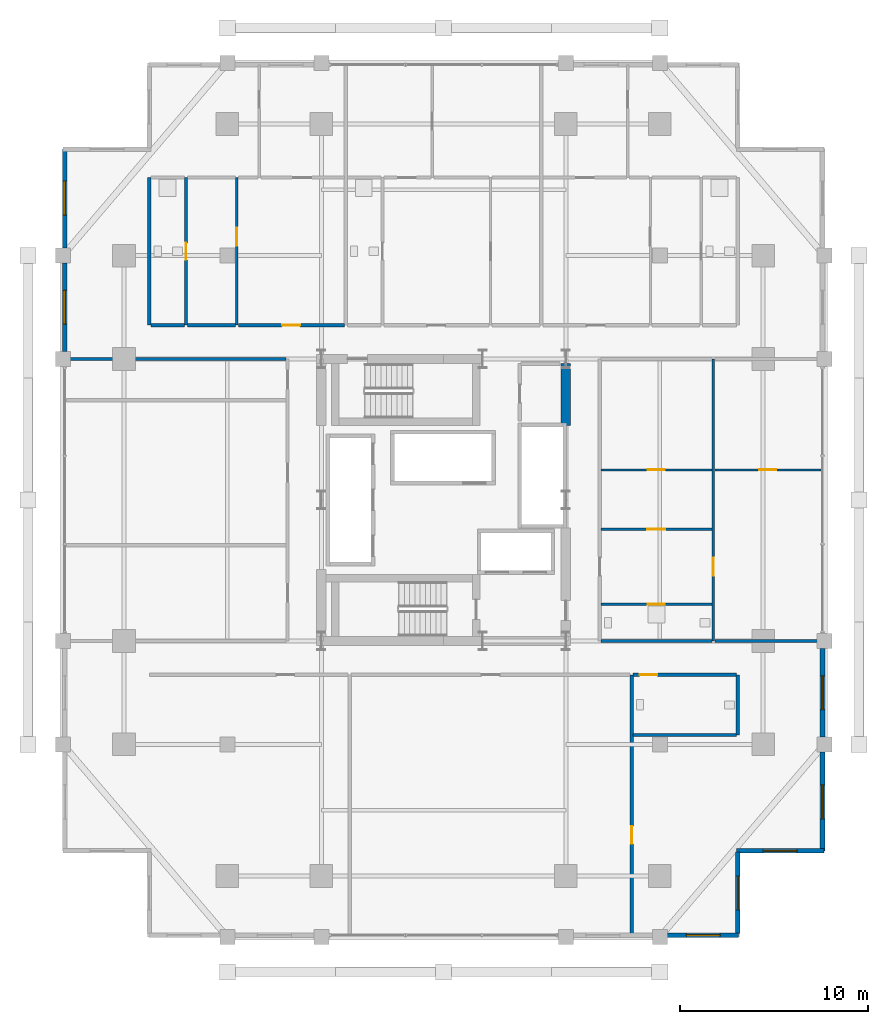
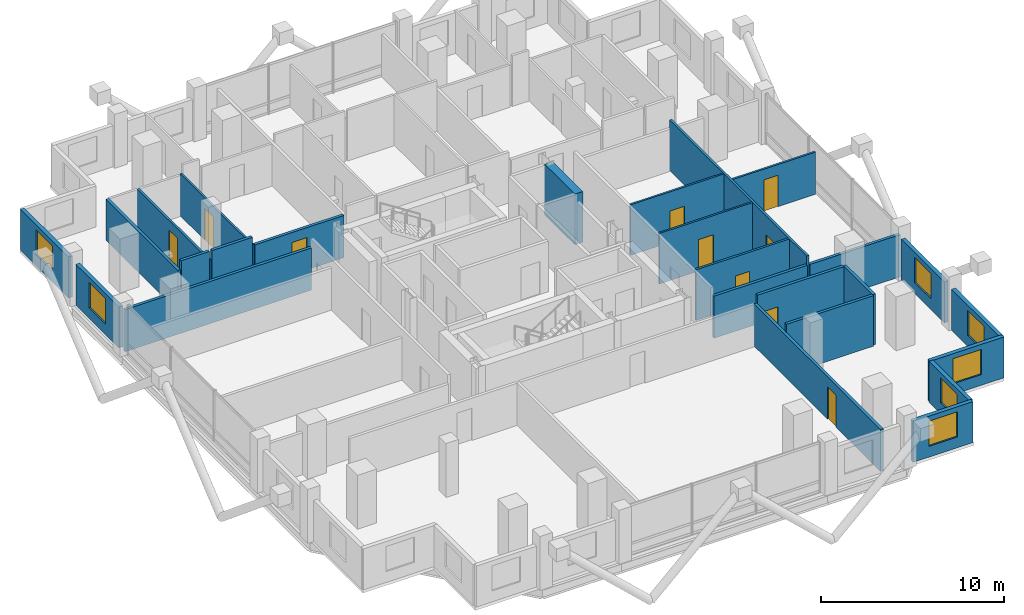
# One storey, part 18 of 22: 26 walls, 10 doors, 7 windows, 17 openings.
"""IFC4 building model written with IfcOpenShell, lengths in metres."""

import ifcopenshell
import ifcopenshell.guid

model = None  # the IFC model being written
_history = None  # IfcOwnerHistory: only IFC2X3 demands one
_inside = {}  # id of a spatial element -> (the spatial element, [elements in it])
_under = {}  # id of a project, library or spatial element -> (it, [spatial elements below it])
_declared = {}  # id of a project -> (the project, [libraries it declares])
_typed = {}  # id of a type object -> (the type object, [elements of that type])
_made_of = {}  # id of a material, layer set ... -> (it, [elements and type objects made of it])


def new_model(schema):
    """Start an empty IFC model of exactly this schema.

    Asked for "IFC4X3", IfcOpenShell would pick the latest addendum, in which some entities
    have other attributes; the version numbers below select the first issue.
    IFC2X3 requires an IfcOwnerHistory on every rooted entity: one is made here for all.
    """
    global model, _history
    if schema == "IFC4X3":
        model = ifcopenshell.file(schema_version=(4, 3, 0, 0))
    else:
        model = ifcopenshell.file(schema=schema)
    _inside.clear()
    _under.clear()
    _declared.clear()
    _typed.clear()
    _made_of.clear()
    _history = None
    if model.schema == "IFC2X3":
        org = make("IfcOrganization", Name="unknown")
        user = make(
            "IfcPersonAndOrganization",
            ThePerson=make("IfcPerson", FamilyName="unknown"),
            TheOrganization=org,
        )
        app = make(
            "IfcApplication",
            ApplicationDeveloper=org,
            Version="unknown",
            ApplicationFullName="unknown",
            ApplicationIdentifier="unknown",
        )
        _history = make(
            "IfcOwnerHistory",
            OwningUser=user,
            OwningApplication=app,
            ChangeAction="ADDED",
            CreationDate=0,
        )
    return model


def make(cls, **values):
    """One entity of the class cls with the attributes given. An attribute that is None is left unset."""
    return model.create_entity(
        cls, **{name: value for name, value in values.items() if value is not None}
    )


def rooted(cls, **values):
    """An entity with a GlobalId (a new one), such as an element, a storey or a relation."""
    return make(cls, GlobalId=ifcopenshell.guid.new(), OwnerHistory=_history, **values)


def si_unit(unit_type, name, prefix=None):
    """IfcSIUnit, for example si_unit("LENGTHUNIT", "METRE", prefix="MILLI")."""
    return make("IfcSIUnit", UnitType=unit_type, Prefix=prefix, Name=name)


def assignment(units):
    """IfcUnitAssignment: the units of a project."""
    return None if units is None else make("IfcUnitAssignment", Units=units)


def point(xyz):
    """IfcCartesianPoint."""
    return None if xyz is None else make("IfcCartesianPoint", Coordinates=xyz)


def direction(xyz):
    """IfcDirection."""
    return None if xyz is None else make("IfcDirection", DirectionRatios=xyz)


def frame(location, z_axis=None, x_axis=None):
    """IfcAxis2Placement3D, a coordinate frame: its origin and axes. An axis left out is left unset."""
    return make(
        "IfcAxis2Placement3D",
        Location=point(location),
        Axis=direction(z_axis),
        RefDirection=direction(x_axis),
    )


def frame_2d(location, x_axis=None):
    """IfcAxis2Placement2D, a coordinate frame in the plane: its origin and x axis."""
    return make(
        "IfcAxis2Placement2D", Location=point(location), RefDirection=direction(x_axis)
    )


def origin():
    """The frame at (0, 0, 0) with its axes left unset."""
    return frame((0.0, 0.0, 0.0))


def place(relative_to, where):
    """IfcLocalPlacement: puts the frame where relative to a parent placement (None: the world)."""
    return make(
        "IfcLocalPlacement", PlacementRelTo=relative_to, RelativePlacement=where
    )


def context(
    kind, dimensions, precision=None, world=None, true_north=None, identifier=None
):
    """IfcGeometricRepresentationContext, for example the 3D "Model" context."""
    return make(
        "IfcGeometricRepresentationContext",
        ContextIdentifier=identifier,
        ContextType=kind,
        CoordinateSpaceDimension=dimensions,
        Precision=precision,
        WorldCoordinateSystem=world,
        TrueNorth=true_north,
    )


def subcontext(parent, identifier, kind, view, scale=None):
    """IfcGeometricRepresentationSubContext, for example "Body" below "Model"."""
    return make(
        "IfcGeometricRepresentationSubContext",
        ContextIdentifier=identifier,
        ContextType=kind,
        ParentContext=parent,
        TargetScale=scale,
        TargetView=view,
    )


def project(units=None, contexts=None):
    """IfcProject with its units and contexts."""
    return rooted(
        "IfcProject",
        Name="project",
        RepresentationContexts=contexts,
        UnitsInContext=assignment(units),
    )


def spatial(cls, under=None, at=None, **own):
    """A site, building, storey or space (cls), placed at a placement, below another one or the project."""
    s = rooted(cls, ObjectPlacement=at, **own)
    if under is not None:
        _under.setdefault(under.id(), (under, []))[1].append(s)
    return s


def profile(cls, at=None, kind="AREA", **sizes):
    """A parametric profile (cls). Its sizes go by their IFC names, for example OverallWidth=200.0."""
    return make(cls, ProfileType=kind, Position=at, **sizes)


def rectangle(**sizes):
    """IfcRectangleProfileDef."""
    return profile("IfcRectangleProfileDef", **sizes)


def extrude(swept, where, along, depth):
    """IfcExtrudedAreaSolid: the profile swept, set in the frame where, extruded along a direction by depth."""
    return make(
        "IfcExtrudedAreaSolid",
        SweptArea=swept,
        Position=where,
        ExtrudedDirection=direction(along),
        Depth=depth,
    )


def shape(context_of_items, identifier, shape_type, items):
    """IfcShapeRepresentation: the items that make up one representation, for example the "Body"."""
    return make(
        "IfcShapeRepresentation",
        ContextOfItems=context_of_items,
        RepresentationIdentifier=identifier,
        RepresentationType=shape_type,
        Items=items,
    )


def material(Name=None, Category=None):
    """IfcMaterial."""
    return make("IfcMaterial", Name=Name, Category=Category)


def layer(
    of_material, thickness, ventilated=None, Name=None, Category=None, Priority=None
):
    """IfcMaterialLayer: one layer of a wall or slab, of a material (None: an air gap)."""
    return make(
        "IfcMaterialLayer",
        Material=of_material,
        LayerThickness=thickness,
        IsVentilated=ventilated,
        Name=Name,
        Category=Category,
        Priority=Priority,
    )


def layer_set(layers, Name=None):
    """IfcMaterialLayerSet."""
    return make("IfcMaterialLayerSet", MaterialLayers=layers, LayerSetName=Name)


def made_of(thing, what):
    """Note that an element or type object is made of a material, layer set ...; save() writes the relation."""
    if what is not None:
        _made_of.setdefault(what.id(), (what, []))[1].append(thing)
    return thing


def type_object(cls, material=None, **own):
    """A type object (cls), such as IfcWallType, which elements share."""
    return made_of(rooted(cls, **own), material)


def element(
    cls,
    number,
    at=None,
    inside=None,
    cuts=None,
    type_object=None,
    material=None,
    context=None,
    identifier="Body",
    shape_type=None,
    held_by="IfcProductDefinitionShape",
    body=None,
    shapes=None,
    **own,
):
    """One element of the class cls, such as IfcWall. Its Tag is "e" and its number.

    at: its placement. inside: the storey or other place that contains it. cuts: it is an
    opening in that element (IfcRelVoidsElement). A single representation is given by context,
    identifier, shape_type and body (its items); several are given by shapes. held_by: the class
    of the entity that holds the representations. save() writes the other relations.
    """
    e = rooted(cls, Tag="e%d" % number, ObjectPlacement=at, **own)
    if body is not None:
        shapes = [shape(context, identifier, shape_type, body)]
    if shapes is not None:
        e.Representation = make(held_by, Representations=shapes)
    if inside is not None:
        _inside.setdefault(inside.id(), (inside, []))[1].append(e)
    if cuts is not None:
        rooted(
            "IfcRelVoidsElement", RelatingBuildingElement=cuts, RelatedOpeningElement=e
        )
    if type_object is not None:
        _typed.setdefault(type_object.id(), (type_object, []))[1].append(e)
    return made_of(e, material)


def fill(opening, filler):
    """IfcRelFillsElement: the door or window that sits in an opening."""
    return rooted(
        "IfcRelFillsElement",
        RelatingOpeningElement=opening,
        RelatedBuildingElement=filler,
    )


def aggregate(whole, parts):
    """IfcRelAggregates: a whole, such as a stair, and the parts it consists of."""
    return rooted("IfcRelAggregates", RelatingObject=whole, RelatedObjects=parts)


def save(model, path):
    """Write the relations noted so far, then the file.

    IfcRelAggregates (storeys below a building ...), IfcRelContainedInSpatialStructure (elements
    in a storey), IfcRelDefinesByType, IfcRelAssociatesMaterial and IfcRelDeclares: one each for
    every whole, place, type object, material and project.
    """
    for whole, parts in _under.values():
        aggregate(whole, parts)
    for where, things in _inside.values():
        rooted(
            "IfcRelContainedInSpatialStructure",
            RelatedElements=things,
            RelatingStructure=where,
        )
    for kind, things in _typed.values():
        rooted("IfcRelDefinesByType", RelatedObjects=things, RelatingType=kind)
    for what, things in _made_of.values():
        rooted("IfcRelAssociatesMaterial", RelatedObjects=things, RelatingMaterial=what)
    for by, libraries in _declared.values():
        rooted("IfcRelDeclares", RelatingContext=by, RelatedDefinitions=libraries)
    model.write(path)


model = new_model("IFC4")

# Units and contexts
model_context = context("Model", 3, precision=1e-05, world=origin(), true_north=direction((0.0, 1.0)))
body_context = subcontext(model_context, "Body", "Model", "MODEL_VIEW")
ifc_project = project(units=[si_unit("LENGTHUNIT", "METRE"), si_unit("AREAUNIT", "SQUARE_METRE"), si_unit("VOLUMEUNIT", "CUBIC_METRE"), si_unit("PLANEANGLEUNIT", "RADIAN"), si_unit("MASSUNIT", "GRAM", prefix="KILO")], contexts=[model_context])

# Site, building, storey
site_placement = place(None, origin())
site = spatial("IfcSite", under=ifc_project, at=site_placement, CompositionType="ELEMENT")
building_placement = place(site_placement, origin())
building = spatial("IfcBuilding", under=site, at=building_placement, Name="Barlavira Tower and Art Museum", CompositionType="ELEMENT")
storey_placement = place(building_placement, frame((0.0, 0.0, 106.199951171875)))
storey = spatial("IfcBuildingStorey", under=building, at=storey_placement, Name="L26", CompositionType="ELEMENT", Elevation=106.199951171875)

# Wall, opening, door
ifc_material_1 = material(Name="Gypsum acoustic stud partition", Category="gypsum")
ifc_layer_1 = layer(ifc_material_1, 0.1201171875, Name="Gypsum acoustic stud partition")
ifc_layer_set_1 = layer_set([ifc_layer_1], Name="Gypsum acoustic stud partition")
wall_type_1 = type_object("IfcWallType", Name="Apartment Internal Acoustic Partition 120", PredefinedType="PARTITIONING", material=ifc_layer_set_1)
wall_1_placement = place(storey_placement, frame((-11.0, 9.300048828125, 0.0), z_axis=(0.0, 0.0, 1.0), x_axis=(0.0, 1.0, 0.0)))
wall_1 = element("IfcWall", 1, at=wall_1_placement, inside=storey, type_object=wall_type_1, Name="L26 Partition Wall 3", PredefinedType="PARTITIONING", context=body_context, shape_type="SweptSolid", body=[
    extrude(rectangle(XDim=7.849853515625, YDim=0.1201171875, at=frame_2d((3.9248046875, 0.0))), origin(), (0.0, 0.0, 1.0), 2.816162109375),
])
opening_1_placement = place(wall_1_placement, frame((4.218505859375, 0.0, 0.0)))
opening_1 = element("IfcOpeningElement", 2, at=opening_1_placement, cuts=wall_1, Name="Opening D-02", PredefinedType="OPENING", context=body_context, shape_type="SweptSolid", body=[
    extrude(rectangle(XDim=0.949951171875, YDim=2.10009765625, at=frame_2d((0.47509765625, 1.050048828125))), frame((0.0, 0.070068359375, 0.0), z_axis=(0.0, -1.0, 0.0), x_axis=(1.0, 0.0, 0.0)), (0.0, 0.0, 1.0), 0.14013671875),
])
ifc_material_2 = material(Name="Engineered coastal hardwood", Category="wood")
door_type_1 = type_object("IfcDoorType", Name="Living and Salon Glazed-Leaf Door 950x2100", OperationType="NOTDEFINED", PredefinedType="DOOR", material=ifc_material_2)
door_1_placement = place(opening_1_placement, origin())
door_1 = element("IfcDoor", 3, at=door_1_placement, inside=storey, type_object=door_type_1, Name="Apartment N1 Kitchen Door", OperationType="SINGLE_SWING_LEFT", OverallHeight=2.10009765625, OverallWidth=0.949951171875, PredefinedType="DOOR", context=body_context, shape_type="SweptSolid", body=[
    extrude(rectangle(XDim=0.949951171875, YDim=2.10009765625, at=frame_2d((0.47509765625, 1.050048828125))), frame((0.0, 0.02490234375, 0.0), z_axis=(0.0, -1.0, 0.0), x_axis=(1.0, 0.0, 0.0)), (0.0, 0.0, 1.0), 0.050048828125),
])
fill(opening_1, door_1)

wall_2_placement = place(storey_placement, frame((8.3798828125, -1.550048828125, 0.0), z_axis=(0.0, 0.0, 1.0), x_axis=(1.0, 0.0, 0.0)))
wall_2 = element("IfcWall", 4, at=wall_2_placement, inside=storey, type_object=wall_type_1, Name="L26 Partition Wall 30", PredefinedType="PARTITIONING", context=body_context, shape_type="SweptSolid", body=[
    extrude(rectangle(XDim=5.89013671875, YDim=0.1201171875, at=frame_2d((2.945068359375, 0.0))), origin(), (0.0, 0.0, 1.0), 3.380126953125),
])
opening_2_placement = place(wall_2_placement, frame((2.465087890625, 0.0, 0.0)))
opening_2 = element("IfcOpeningElement", 5, at=opening_2_placement, cuts=wall_2, Name="Opening D-02", PredefinedType="OPENING", context=body_context, shape_type="SweptSolid", body=[
    extrude(rectangle(XDim=0.949951171875, YDim=2.10009765625, at=frame_2d((0.47509765625, 1.050048828125))), frame((0.0, 0.070068359375, 0.0), z_axis=(0.0, -1.0, 0.0), x_axis=(1.0, 0.0, 0.0)), (0.0, 0.0, 1.0), 0.14013671875),
])
door_2_placement = place(opening_2_placement, origin())
door_2 = element("IfcDoor", 6, at=door_2_placement, inside=storey, type_object=door_type_1, Name="Apartment E1 Kitchen Door", OperationType="SINGLE_SWING_RIGHT", OverallHeight=2.10009765625, OverallWidth=0.949951171875, PredefinedType="DOOR", context=body_context, shape_type="SweptSolid", body=[
    extrude(rectangle(XDim=0.949951171875, YDim=2.10009765625, at=frame_2d((0.47509765625, 1.050048828125))), frame((0.0, 0.02490234375, 0.0), z_axis=(0.0, -1.0, 0.0), x_axis=(1.0, 0.0, 0.0)), (0.0, 0.0, 1.0), 0.050048828125),
])
fill(opening_2, door_2)

wall_3_placement = place(storey_placement, frame((8.3798828125, 1.60009765625, 0.0), z_axis=(0.0, 0.0, 1.0), x_axis=(1.0, 0.0, 0.0)))
wall_3 = element("IfcWall", 7, at=wall_3_placement, inside=storey, type_object=wall_type_1, Name="L26 Partition Wall 31", PredefinedType="PARTITIONING", context=body_context, shape_type="SweptSolid", body=[
    extrude(rectangle(XDim=5.89013671875, YDim=0.1201171875, at=frame_2d((2.945068359375, 0.0))), origin(), (0.0, 0.0, 1.0), 3.380126953125),
])
opening_3_placement = place(wall_3_placement, frame((2.489990234375, 0.0, 0.0)))
opening_3 = element("IfcOpeningElement", 8, at=opening_3_placement, cuts=wall_3, Name="Opening D-01", PredefinedType="OPENING", context=body_context, shape_type="SweptSolid", body=[
    extrude(rectangle(XDim=0.89990234375, YDim=2.10009765625, at=frame_2d((0.449951171875, 1.050048828125))), frame((0.0, 0.070068359375, 0.0), z_axis=(0.0, -1.0, 0.0), x_axis=(1.0, 0.0, 0.0)), (0.0, 0.0, 1.0), 0.14013671875),
])
door_type_2 = type_object("IfcDoorType", Name="Internal Bedroom Timber Flush Door 900x2100", OperationType="NOTDEFINED", PredefinedType="DOOR", material=ifc_material_2)
door_3_placement = place(opening_3_placement, origin())
door_3 = element("IfcDoor", 9, at=door_3_placement, inside=storey, type_object=door_type_2, Name="Apartment E1 Walk-In Dressing Room Door", OperationType="SINGLE_SWING_LEFT", OverallHeight=2.10009765625, OverallWidth=0.89990234375, PredefinedType="DOOR", context=body_context, shape_type="SweptSolid", body=[
    extrude(rectangle(XDim=0.89990234375, YDim=2.10009765625, at=frame_2d((0.449951171875, 1.050048828125))), frame((0.0, 0.02490234375, 0.0), z_axis=(0.0, -1.0, 0.0), x_axis=(1.0, 0.0, 0.0)), (0.0, 0.0, 1.0), 0.050048828125),
])
fill(opening_3, door_3)

wall_4_placement = place(storey_placement, frame((14.429931640625, 1.60009765625, 0.0), z_axis=(0.0, 0.0, 1.0), x_axis=(1.0, 0.0, 0.0)))
wall_4 = element("IfcWall", 10, at=wall_4_placement, inside=storey, type_object=wall_type_1, Name="L26 Partition Wall 32", PredefinedType="PARTITIONING", context=body_context, shape_type="SweptSolid", body=[
    extrude(rectangle(XDim=5.64013671875, YDim=0.1201171875, at=frame_2d((2.820068359375, 0.0))), origin(), (0.0, 0.0, 1.0), 2.816162109375),
])
opening_4_placement = place(wall_4_placement, frame((2.3701171875, 0.0, 0.0)))
opening_4 = element("IfcOpeningElement", 11, at=opening_4_placement, cuts=wall_4, Name="Opening D-01", PredefinedType="OPENING", context=body_context, shape_type="SweptSolid", body=[
    extrude(rectangle(XDim=0.89990234375, YDim=2.10009765625, at=frame_2d((0.449951171875, 1.050048828125))), frame((0.0, 0.070068359375, 0.0), z_axis=(0.0, -1.0, 0.0), x_axis=(1.0, 0.0, 0.0)), (0.0, 0.0, 1.0), 0.14013671875),
])
door_4_placement = place(opening_4_placement, origin())
door_4 = element("IfcDoor", 12, at=door_4_placement, inside=storey, type_object=door_type_2, Name="Apartment E1 Bedroom 1 Door", OperationType="SINGLE_SWING_LEFT", OverallHeight=2.10009765625, OverallWidth=0.89990234375, PredefinedType="DOOR", context=body_context, shape_type="SweptSolid", body=[
    extrude(rectangle(XDim=0.89990234375, YDim=2.10009765625, at=frame_2d((0.449951171875, 1.050048828125))), frame((0.0, 0.02490234375, 0.0), z_axis=(0.0, -1.0, 0.0), x_axis=(1.0, 0.0, 0.0)), (0.0, 0.0, 1.0), 0.050048828125),
])
fill(opening_4, door_4)

# Walls
ifc_material_3 = material(Name="Concrete C60", Category="concrete")
ifc_layer_2 = layer(ifc_material_3, 0.5, Name="Concrete C60")
ifc_layer_set_2 = layer_set([ifc_layer_2], Name="Concrete C60")
wall_type_2 = type_object("IfcWallType", Name="Core Structural Shear Wall 500 Concrete C60", PredefinedType="SHEAR", material=ifc_layer_set_2)
wall_5_placement = place(storey_placement, frame((6.5, 3.949951171875, 0.0), z_axis=(0.0, 0.0, 1.0), x_axis=(0.0, 1.0, 0.0)))
element("IfcWall", 13, at=wall_5_placement, inside=storey, type_object=wall_type_2, Name="L26 Core Shear Wall CS-E2", PredefinedType="SHEAR", context=body_context, shape_type="SweptSolid", body=[
    extrude(rectangle(XDim=3.300048828125, YDim=0.5, at=frame_2d((1.64990234375, 0.0))), origin(), (0.0, 0.0, 1.0), 3.380126953125),
])
ifc_layer_3 = layer(ifc_material_1, 0.179931640625, Name="Gypsum acoustic stud partition")
ifc_layer_set_3 = layer_set([ifc_layer_3], Name="Gypsum acoustic stud partition")
wall_type_3 = type_object("IfcWallType", Name="Inter-Tenancy Party Partition Wall 180", PredefinedType="PARTITIONING", material=ifc_layer_set_3)
wall_6_placement = place(storey_placement, frame((-15.64990234375, 9.300048828125, 0.0), z_axis=(0.0, 0.0, 1.0), x_axis=(0.0, 1.0, 0.0)))
element("IfcWall", 14, at=wall_6_placement, inside=storey, type_object=wall_type_3, Name="L26 Partition Wall 1", PredefinedType="PARTITIONING", context=body_context, shape_type="SweptSolid", body=[
    extrude(rectangle(XDim=7.849853515625, YDim=0.179931640625, at=frame_2d((3.9248046875, 0.0))), origin(), (0.0, 0.0, 1.0), 2.736083984375),
])

# Wall, opening, door
wall_7_placement = place(storey_placement, frame((10.0, -23.14990234375, 0.0), z_axis=(0.0, 0.0, 1.0), x_axis=(0.0, 1.0, 0.0)))
wall_7 = element("IfcWall", 15, at=wall_7_placement, inside=storey, type_object=wall_type_3, Name="L26 Partition Wall 15", PredefinedType="PARTITIONING", context=body_context, shape_type="SweptSolid", body=[
    extrude(rectangle(XDim=13.849853515625, YDim=0.179931640625, at=frame_2d((6.9248046875, 0.0))), origin(), (0.0, 0.0, 1.0), 2.816162109375),
])
opening_5_placement = place(wall_7_placement, frame((4.85498046875, 0.0, 0.0)))
opening_5 = element("IfcOpeningElement", 16, at=opening_5_placement, cuts=wall_7, Name="Opening FD-60", PredefinedType="OPENING", context=body_context, shape_type="SweptSolid", body=[
    extrude(rectangle(XDim=0.949951171875, YDim=2.14990234375, at=frame_2d((0.47509765625, 1.074951171875))), frame((0.0, 0.10009765625, 0.0), z_axis=(0.0, -1.0, 0.0), x_axis=(1.0, 0.0, 0.0)), (0.0, 0.0, 1.0), 0.199951171875),
])
ifc_material_4 = material(Name="Brushed stainless steel", Category="steel")
door_type_3 = type_object("IfcDoorType", Name="Apartment Entrance and Riser Fire Door 950x2150 FD60S", OperationType="NOTDEFINED", PredefinedType="DOOR", material=ifc_material_4)
door_5_placement = place(opening_5_placement, origin())
door_5 = element("IfcDoor", 17, at=door_5_placement, inside=storey, type_object=door_type_3, Name="Thermal Relaxation Lounge Door", OperationType="SINGLE_SWING_LEFT", OverallHeight=2.14990234375, OverallWidth=0.949951171875, PredefinedType="DOOR", context=body_context, shape_type="SweptSolid", body=[
    extrude(rectangle(XDim=0.949951171875, YDim=2.14990234375, at=frame_2d((0.47509765625, 1.074951171875))), frame((0.0, 0.02490234375, 0.0), z_axis=(0.0, -1.0, 0.0), x_axis=(1.0, 0.0, 0.0)), (0.0, 0.0, 1.0), 0.050048828125),
])
fill(opening_5, door_5)

# Walls
wall_8_placement = place(storey_placement, frame((15.64990234375, -12.5, 0.0), z_axis=(0.0, 0.0, 1.0), x_axis=(0.0, 1.0, 0.0)))
element("IfcWall", 18, at=wall_8_placement, inside=storey, type_object=wall_type_3, Name="L26 Partition Wall 19", PredefinedType="PARTITIONING", context=body_context, shape_type="SweptSolid", body=[
    extrude(rectangle(XDim=3.199951171875, YDim=0.179931640625, at=frame_2d((1.60009765625, 0.0))), origin(), (0.0, 0.0, 1.0), 3.380126953125),
])
wall_9_placement = place(storey_placement, frame((10.080078125, -12.5, 0.0), z_axis=(0.0, 0.0, 1.0), x_axis=(1.0, 0.0, 0.0)))
element("IfcWall", 19, at=wall_9_placement, inside=storey, type_object=wall_type_3, Name="L26 Partition Wall 21", PredefinedType="PARTITIONING", context=body_context, shape_type="SweptSolid", body=[
    extrude(rectangle(XDim=5.489990234375, YDim=0.179931640625, at=frame_2d((2.7451171875, 0.0))), origin(), (0.0, 0.0, 1.0), 3.380126953125),
])

# Wall, opening, door
wall_10_placement = place(storey_placement, frame((10.080078125, -9.300048828125, 0.0), z_axis=(0.0, 0.0, 1.0), x_axis=(1.0, 0.0, 0.0)))
wall_10 = element("IfcWall", 20, at=wall_10_placement, inside=storey, type_object=wall_type_3, Name="L26 Partition Wall 24", PredefinedType="PARTITIONING", context=body_context, shape_type="SweptSolid", body=[
    extrude(rectangle(XDim=5.489990234375, YDim=0.179931640625, at=frame_2d((2.7451171875, 0.0))), origin(), (0.0, 0.0, 1.0), 3.380126953125),
])
opening_6_placement = place(wall_10_placement, frame((0.344970703125, 0.0, 0.0)))
opening_6 = element("IfcOpeningElement", 21, at=opening_6_placement, cuts=wall_10, Name="Opening FD-60", PredefinedType="OPENING", context=body_context, shape_type="SweptSolid", body=[
    extrude(rectangle(XDim=0.949951171875, YDim=2.14990234375, at=frame_2d((0.47509765625, 1.074951171875))), frame((0.0, 0.10009765625, 0.0), z_axis=(0.0, -1.0, 0.0), x_axis=(1.0, 0.0, 0.0)), (0.0, 0.0, 1.0), 0.199951171875),
])
door_6_placement = place(opening_6_placement, origin())
door_6 = element("IfcDoor", 22, at=door_6_placement, inside=storey, type_object=door_type_3, Name="Wellness Changing and Accessible Shower WC Door", OperationType="SINGLE_SWING_RIGHT", OverallHeight=2.14990234375, OverallWidth=0.949951171875, PredefinedType="DOOR", context=body_context, shape_type="SweptSolid", body=[
    extrude(rectangle(XDim=0.949951171875, YDim=2.14990234375, at=frame_2d((0.47509765625, 1.074951171875))), frame((0.0, 0.02490234375, 0.0), z_axis=(0.0, -1.0, 0.0), x_axis=(1.0, 0.0, 0.0)), (0.0, 0.0, 1.0), 0.050048828125),
])
fill(opening_6, door_6)

# Walls
wall_11_placement = place(storey_placement, frame((8.3798828125, -7.5, 0.0), z_axis=(0.0, 0.0, 1.0), x_axis=(1.0, 0.0, 0.0)))
element("IfcWall", 23, at=wall_11_placement, inside=storey, type_object=wall_type_3, Name="L26 Partition Wall 26", PredefinedType="PARTITIONING", context=body_context, shape_type="SweptSolid", body=[
    extrude(rectangle(XDim=5.89013671875, YDim=0.179931640625, at=frame_2d((2.945068359375, 0.0))), origin(), (0.0, 0.0, 1.0), 2.816162109375),
])
wall_12_placement = place(storey_placement, frame((14.429931640625, -7.5, 0.0), z_axis=(0.0, 0.0, 1.0), x_axis=(1.0, 0.0, 0.0)))
element("IfcWall", 24, at=wall_12_placement, inside=storey, type_object=wall_type_3, Name="L26 Partition Wall 27", PredefinedType="PARTITIONING", context=body_context, shape_type="SweptSolid", body=[
    extrude(rectangle(XDim=5.719970703125, YDim=0.179931640625, at=frame_2d((2.85986328125, 0.0))), origin(), (0.0, 0.0, 1.0), 2.816162109375),
])
wall_13_placement = place(storey_placement, frame((-20.14990234375, 7.5, 0.0), z_axis=(0.0, 0.0, 1.0), x_axis=(1.0, 0.0, 0.0)))
element("IfcWall", 25, at=wall_13_placement, inside=storey, type_object=wall_type_3, Name="L26 Partition Wall 35", PredefinedType="PARTITIONING", context=body_context, shape_type="SweptSolid", body=[
    extrude(rectangle(XDim=11.77001953125, YDim=0.179931640625, at=frame_2d((5.885009765625, 0.0))), origin(), (0.0, 0.0, 1.0), 2.816162109375),
])
wall_14_placement = place(storey_placement, frame((-15.570068359375, 9.300048828125, 0.0), z_axis=(0.0, 0.0, 1.0), x_axis=(1.0, 0.0, 0.0)))
element("IfcWall", 26, at=wall_14_placement, inside=storey, type_object=wall_type_3, Name="L26 Partition Wall 38", PredefinedType="PARTITIONING", context=body_context, shape_type="SweptSolid", body=[
    extrude(rectangle(XDim=1.7900390625, YDim=0.179931640625, at=frame_2d((0.89501953125, 0.0))), origin(), (0.0, 0.0, 1.0), 3.380126953125),
])
wall_15_placement = place(storey_placement, frame((-13.6201171875, 9.300048828125, 0.0), z_axis=(0.0, 0.0, 1.0), x_axis=(1.0, 0.0, 0.0)))
element("IfcWall", 27, at=wall_15_placement, inside=storey, type_object=wall_type_3, Name="L26 Partition Wall 39", PredefinedType="PARTITIONING", context=body_context, shape_type="SweptSolid", body=[
    extrude(rectangle(XDim=2.5400390625, YDim=0.179931640625, at=frame_2d((1.27001953125, 0.0))), origin(), (0.0, 0.0, 1.0), 3.380126953125),
])

# Wall, opening, door
wall_16_placement = place(storey_placement, frame((-10.919921875, 9.300048828125, 0.0), z_axis=(0.0, 0.0, 1.0), x_axis=(1.0, 0.0, 0.0)))
wall_16 = element("IfcWall", 28, at=wall_16_placement, inside=storey, type_object=wall_type_3, Name="L26 Partition Wall 40", PredefinedType="PARTITIONING", context=body_context, shape_type="SweptSolid", body=[
    extrude(rectangle(XDim=5.639892578125, YDim=0.179931640625, at=frame_2d((2.81982421875, 0.0))), origin(), (0.0, 0.0, 1.0), 2.816162109375),
])
opening_7_placement = place(wall_16_placement, frame((2.3349609375, 0.0, 0.0)))
opening_7 = element("IfcOpeningElement", 29, at=opening_7_placement, cuts=wall_16, Name="Opening FD-60", PredefinedType="OPENING", context=body_context, shape_type="SweptSolid", body=[
    extrude(rectangle(XDim=0.949951171875, YDim=2.14990234375, at=frame_2d((0.47509765625, 1.074951171875))), frame((0.0, 0.10009765625, 0.0), z_axis=(0.0, -1.0, 0.0), x_axis=(1.0, 0.0, 0.0)), (0.0, 0.0, 1.0), 0.199951171875),
])
door_7_placement = place(opening_7_placement, origin())
door_7 = element("IfcDoor", 30, at=door_7_placement, inside=storey, type_object=door_type_3, Name="Apartment Entrance Hall N1 Door", OperationType="SINGLE_SWING_RIGHT", OverallHeight=2.14990234375, OverallWidth=0.949951171875, PredefinedType="DOOR", context=body_context, shape_type="SweptSolid", body=[
    extrude(rectangle(XDim=0.949951171875, YDim=2.14990234375, at=frame_2d((0.47509765625, 1.074951171875))), frame((0.0, 0.02490234375, 0.0), z_axis=(0.0, -1.0, 0.0), x_axis=(1.0, 0.0, 0.0)), (0.0, 0.0, 1.0), 0.050048828125),
])
fill(opening_7, door_7)

ifc_layer_4 = layer(ifc_material_1, 0.139892578125, Name="Gypsum acoustic stud partition")
ifc_layer_set_4 = layer_set([ifc_layer_4], Name="Gypsum acoustic stud partition")
wall_type_4 = type_object("IfcWallType", Name="Moisture-Resistant Bathroom Partition 140", PredefinedType="PARTITIONING", material=ifc_layer_set_4)
wall_17_placement = place(storey_placement, frame((-13.699951171875, 9.300048828125, 0.0), z_axis=(0.0, 0.0, 1.0), x_axis=(0.0, 1.0, 0.0)))
wall_17 = element("IfcWall", 31, at=wall_17_placement, inside=storey, type_object=wall_type_4, Name="L26 Partition Wall 2", PredefinedType="PARTITIONING", context=body_context, shape_type="SweptSolid", body=[
    extrude(rectangle(XDim=7.849853515625, YDim=0.139892578125, at=frame_2d((3.9248046875, 0.0))), origin(), (0.0, 0.0, 1.0), 2.736083984375),
])
opening_8_placement = place(wall_17_placement, frame((3.469970703125, 0.0, 0.0)))
opening_8 = element("IfcOpeningElement", 32, at=opening_8_placement, cuts=wall_17, Name="Opening D-WC", PredefinedType="OPENING", context=body_context, shape_type="SweptSolid", body=[
    extrude(rectangle(XDim=0.89990234375, YDim=2.10009765625, at=frame_2d((0.449951171875, 1.050048828125))), frame((0.0, 0.080078125, 0.0), z_axis=(0.0, -1.0, 0.0), x_axis=(1.0, 0.0, 0.0)), (0.0, 0.0, 1.0), 0.159912109375),
])
door_type_4 = type_object("IfcDoorType", Name="Accessible Bathroom Flush Door 900x2100", OperationType="NOTDEFINED", PredefinedType="DOOR", material=ifc_material_2)
door_8_placement = place(opening_8_placement, origin())
door_8 = element("IfcDoor", 33, at=door_8_placement, inside=storey, type_object=door_type_4, Name="Apartment N1 Hall Bathroom Door", OperationType="SINGLE_SWING_RIGHT", OverallHeight=2.10009765625, OverallWidth=0.89990234375, PredefinedType="DOOR", context=body_context, shape_type="SweptSolid", body=[
    extrude(rectangle(XDim=0.89990234375, YDim=2.10009765625, at=frame_2d((0.449951171875, 1.050048828125))), frame((0.0, 0.02490234375, 0.0), z_axis=(0.0, -1.0, 0.0), x_axis=(1.0, 0.0, 0.0)), (0.0, 0.0, 1.0), 0.050048828125),
])
fill(opening_8, door_8)

wall_18_placement = place(storey_placement, frame((14.35009765625, -7.5, 0.0), z_axis=(0.0, 0.0, 1.0), x_axis=(0.0, 1.0, 0.0)))
wall_18 = element("IfcWall", 34, at=wall_18_placement, inside=storey, type_object=wall_type_4, Name="L26 Partition Wall 18", PredefinedType="PARTITIONING", context=body_context, shape_type="SweptSolid", body=[
    extrude(rectangle(XDim=15.0, YDim=0.139892578125, at=frame_2d((7.5, 0.0))), origin(), (0.0, 0.0, 1.0), 3.380126953125),
])
opening_9_placement = place(wall_18_placement, frame((3.47509765625, 0.0, 0.0)))
opening_9 = element("IfcOpeningElement", 35, at=opening_9_placement, cuts=wall_18, Name="Opening D-02", PredefinedType="OPENING", context=body_context, shape_type="SweptSolid", body=[
    extrude(rectangle(XDim=0.949951171875, YDim=2.10009765625, at=frame_2d((0.47509765625, 1.050048828125))), frame((0.0, 0.080078125, 0.0), z_axis=(0.0, -1.0, 0.0), x_axis=(1.0, 0.0, 0.0)), (0.0, 0.0, 1.0), 0.159912109375),
])
door_9_placement = place(opening_9_placement, origin())
door_9 = element("IfcDoor", 36, at=door_9_placement, inside=storey, type_object=door_type_1, Name="Apartment E1 Living Lounge Door", OperationType="SINGLE_SWING_RIGHT", OverallHeight=2.10009765625, OverallWidth=0.949951171875, PredefinedType="DOOR", context=body_context, shape_type="SweptSolid", body=[
    extrude(rectangle(XDim=0.949951171875, YDim=2.10009765625, at=frame_2d((0.47509765625, 1.050048828125))), frame((0.0, 0.02490234375, 0.0), z_axis=(0.0, -1.0, 0.0), x_axis=(1.0, 0.0, 0.0)), (0.0, 0.0, 1.0), 0.050048828125),
])
fill(opening_9, door_9)

wall_19_placement = place(storey_placement, frame((8.3798828125, -5.550048828125, 0.0), z_axis=(0.0, 0.0, 1.0), x_axis=(1.0, 0.0, 0.0)))
wall_19 = element("IfcWall", 37, at=wall_19_placement, inside=storey, type_object=wall_type_4, Name="L26 Partition Wall 28", PredefinedType="PARTITIONING", context=body_context, shape_type="SweptSolid", body=[
    extrude(rectangle(XDim=5.89013671875, YDim=0.139892578125, at=frame_2d((2.945068359375, 0.0))), origin(), (0.0, 0.0, 1.0), 3.380126953125),
])
opening_10_placement = place(wall_19_placement, frame((2.489990234375, 0.0, 0.0)))
opening_10 = element("IfcOpeningElement", 38, at=opening_10_placement, cuts=wall_19, Name="Opening D-WC", PredefinedType="OPENING", context=body_context, shape_type="SweptSolid", body=[
    extrude(rectangle(XDim=0.89990234375, YDim=2.10009765625, at=frame_2d((0.449951171875, 1.050048828125))), frame((0.0, 0.080078125, 0.0), z_axis=(0.0, -1.0, 0.0), x_axis=(1.0, 0.0, 0.0)), (0.0, 0.0, 1.0), 0.159912109375),
])
door_10_placement = place(opening_10_placement, origin())
door_10 = element("IfcDoor", 39, at=door_10_placement, inside=storey, type_object=door_type_4, Name="Apartment E1 Hall Bathroom Door", OperationType="SINGLE_SWING_RIGHT", OverallHeight=2.10009765625, OverallWidth=0.89990234375, PredefinedType="DOOR", context=body_context, shape_type="SweptSolid", body=[
    extrude(rectangle(XDim=0.89990234375, YDim=2.10009765625, at=frame_2d((0.449951171875, 1.050048828125))), frame((0.0, 0.02490234375, 0.0), z_axis=(0.0, -1.0, 0.0), x_axis=(1.0, 0.0, 0.0)), (0.0, 0.0, 1.0), 0.050048828125),
])
fill(opening_10, door_10)

# Wall, opening, window
ifc_material_5 = material(Name="Precast concrete C40", Category="concrete")
ifc_layer_5 = layer(ifc_material_5, 0.25, Name="Precast concrete C40")
ifc_layer_set_5 = layer_set([ifc_layer_5], Name="Precast concrete C40")
wall_type_5 = type_object("IfcWallType", Name="Notched Corner Spandrel Wall 250 Precast Concrete C40", PredefinedType="SOLIDWALL", material=ifc_layer_set_5)
wall_20_placement = place(storey_placement, frame((11.89501953125, -23.14990234375, 0.0), z_axis=(0.0, 0.0, 1.0), x_axis=(1.0, 0.0, 0.0)))
wall_20 = element("IfcWall", 40, at=wall_20_placement, inside=storey, type_object=wall_type_5, Name="L26 Coastal Facade Pier Wall CW2-L26-S-5", PredefinedType="SOLIDWALL", context=body_context, shape_type="SweptSolid", body=[
    extrude(rectangle(XDim=3.780029296875, YDim=0.25, at=frame_2d((1.89013671875, 0.0))), origin(), (0.0, 0.0, 1.0), 2.736083984375),
])
opening_11_placement = place(wall_20_placement, frame((1.012939453125, 0.0, 0.719970703125)))
opening_11 = element("IfcOpeningElement", 41, at=opening_11_placement, cuts=wall_20, Name="Opening WN-01", PredefinedType="OPENING", context=body_context, shape_type="SweptSolid", body=[
    extrude(rectangle(XDim=1.800048828125, YDim=1.679931640625, at=frame_2d((0.89990234375, 0.83984375))), frame((0.0, 0.135009765625, 0.0), z_axis=(0.0, -1.0, 0.0), x_axis=(1.0, 0.0, 0.0)), (0.0, 0.0, 1.0), 0.27001953125),
])
ifc_material_6 = material(Name="Low-iron coastal laminated glass", Category="glass")
window_type = type_object("IfcWindowType", Name="Recessed Notch Corner Punch Window 1800x1680", PartitioningType="SINGLE_PANEL", PredefinedType="WINDOW", material=ifc_material_6)
window_1_placement = place(opening_11_placement, origin())
window_1 = element("IfcWindow", 42, at=window_1_placement, inside=storey, type_object=window_type, Name="L26 Punched Facade Window EWP-CW2-L26-S-5-1", OverallHeight=1.679931640625, OverallWidth=1.800048828125, PartitioningType="SINGLE_PANEL", PredefinedType="WINDOW", context=body_context, shape_type="SweptSolid", body=[
    extrude(rectangle(XDim=1.800048828125, YDim=1.679931640625, at=frame_2d((0.89990234375, 0.83984375))), frame((0.0, 0.030029296875, 0.0), z_axis=(0.0, -1.0, 0.0), x_axis=(1.0, 0.0, 0.0)), (0.0, 0.0, 1.0), 0.06005859375),
])
fill(opening_11, window_1)

wall_21_placement = place(storey_placement, frame((-20.14990234375, 18.675048828125, 0.0), z_axis=(0.0, 0.0, 1.0), x_axis=(0.0, -1.0, 0.0)))
wall_21 = element("IfcWall", 43, at=wall_21_placement, inside=storey, type_object=wall_type_5, Name="L26 Coastal Facade Pier Wall CW2-L26-W-1", PredefinedType="SOLIDWALL", context=body_context, shape_type="SweptSolid", body=[
    extrude(rectangle(XDim=5.280029296875, YDim=0.25, at=frame_2d((2.64013671875, 0.0))), origin(), (0.0, 0.0, 1.0), 2.736083984375),
])
opening_12_placement = place(wall_21_placement, frame((1.718017578125, 0.0, 0.719970703125)))
opening_12 = element("IfcOpeningElement", 44, at=opening_12_placement, cuts=wall_21, Name="Opening WN-01", PredefinedType="OPENING", context=body_context, shape_type="SweptSolid", body=[
    extrude(rectangle(XDim=1.800048828125, YDim=1.679931640625, at=frame_2d((0.89990234375, 0.83984375))), frame((0.0, 0.135009765625, 0.0), z_axis=(0.0, -1.0, 0.0), x_axis=(1.0, 0.0, 0.0)), (0.0, 0.0, 1.0), 0.27001953125),
])
window_2_placement = place(opening_12_placement, origin())
window_2 = element("IfcWindow", 45, at=window_2_placement, inside=storey, type_object=window_type, Name="L26 Punched Facade Window EWP-CW2-L26-W-1-1", OverallHeight=1.679931640625, OverallWidth=1.800048828125, PartitioningType="SINGLE_PANEL", PredefinedType="WINDOW", context=body_context, shape_type="SweptSolid", body=[
    extrude(rectangle(XDim=1.800048828125, YDim=1.679931640625, at=frame_2d((0.89990234375, 0.83984375))), frame((0.0, 0.030029296875, 0.0), z_axis=(0.0, -1.0, 0.0), x_axis=(1.0, 0.0, 0.0)), (0.0, 0.0, 1.0), 0.06005859375),
])
fill(opening_12, window_2)

wall_22_placement = place(storey_placement, frame((-20.14990234375, 12.60498046875, 0.0), z_axis=(0.0, 0.0, 1.0), x_axis=(0.0, -1.0, 0.0)))
wall_22 = element("IfcWall", 46, at=wall_22_placement, inside=storey, type_object=wall_type_5, Name="L26 Coastal Facade Pier Wall CW2-L26-W-2", PredefinedType="SOLIDWALL", context=body_context, shape_type="SweptSolid", body=[
    extrude(rectangle(XDim=4.7099609375, YDim=0.25, at=frame_2d((2.35498046875, 0.0))), origin(), (0.0, 0.0, 1.0), 2.736083984375),
])
opening_13_placement = place(wall_22_placement, frame((1.455078125, 0.0, 0.719970703125)))
opening_13 = element("IfcOpeningElement", 47, at=opening_13_placement, cuts=wall_22, Name="Opening WN-01", PredefinedType="OPENING", context=body_context, shape_type="SweptSolid", body=[
    extrude(rectangle(XDim=1.800048828125, YDim=1.679931640625, at=frame_2d((0.89990234375, 0.83984375))), frame((0.0, 0.135009765625, 0.0), z_axis=(0.0, -1.0, 0.0), x_axis=(1.0, 0.0, 0.0)), (0.0, 0.0, 1.0), 0.27001953125),
])
window_3_placement = place(opening_13_placement, origin())
window_3 = element("IfcWindow", 48, at=window_3_placement, inside=storey, type_object=window_type, Name="L26 Punched Facade Window EWP-CW2-L26-W-2-1", OverallHeight=1.679931640625, OverallWidth=1.800048828125, PartitioningType="SINGLE_PANEL", PredefinedType="WINDOW", context=body_context, shape_type="SweptSolid", body=[
    extrude(rectangle(XDim=1.800048828125, YDim=1.679931640625, at=frame_2d((0.89990234375, 0.83984375))), frame((0.0, 0.030029296875, 0.0), z_axis=(0.0, -1.0, 0.0), x_axis=(1.0, 0.0, 0.0)), (0.0, 0.0, 1.0), 0.06005859375),
])
fill(opening_13, window_3)

wall_23_placement = place(storey_placement, frame((20.14990234375, -18.675048828125, 0.0), z_axis=(0.0, 0.0, 1.0), x_axis=(0.0, 1.0, 0.0)))
wall_23 = element("IfcWall", 49, at=wall_23_placement, inside=storey, type_object=wall_type_5, Name="L26 Coastal Facade Pier Wall CW2-L26-E-1", PredefinedType="SOLIDWALL", context=body_context, shape_type="SweptSolid", body=[
    extrude(rectangle(XDim=5.280029296875, YDim=0.25, at=frame_2d((2.64013671875, 0.0))), origin(), (0.0, 0.0, 1.0), 2.736083984375),
])
opening_14_placement = place(wall_23_placement, frame((1.718017578125, 0.0, 0.719970703125)))
opening_14 = element("IfcOpeningElement", 50, at=opening_14_placement, cuts=wall_23, Name="Opening WN-01", PredefinedType="OPENING", context=body_context, shape_type="SweptSolid", body=[
    extrude(rectangle(XDim=1.800048828125, YDim=1.679931640625, at=frame_2d((0.89990234375, 0.83984375))), frame((0.0, 0.135009765625, 0.0), z_axis=(0.0, -1.0, 0.0), x_axis=(1.0, 0.0, 0.0)), (0.0, 0.0, 1.0), 0.27001953125),
])
window_4_placement = place(opening_14_placement, origin())
window_4 = element("IfcWindow", 51, at=window_4_placement, inside=storey, type_object=window_type, Name="L26 Punched Facade Window EWP-CW2-L26-E-1-1", OverallHeight=1.679931640625, OverallWidth=1.800048828125, PartitioningType="SINGLE_PANEL", PredefinedType="WINDOW", context=body_context, shape_type="SweptSolid", body=[
    extrude(rectangle(XDim=1.800048828125, YDim=1.679931640625, at=frame_2d((0.89990234375, 0.83984375))), frame((0.0, 0.030029296875, 0.0), z_axis=(0.0, -1.0, 0.0), x_axis=(1.0, 0.0, 0.0)), (0.0, 0.0, 1.0), 0.06005859375),
])
fill(opening_14, window_4)

wall_24_placement = place(storey_placement, frame((20.14990234375, -12.60498046875, 0.0), z_axis=(0.0, 0.0, 1.0), x_axis=(0.0, 1.0, 0.0)))
wall_24 = element("IfcWall", 52, at=wall_24_placement, inside=storey, type_object=wall_type_5, Name="L26 Coastal Facade Pier Wall CW2-L26-E-2", PredefinedType="SOLIDWALL", context=body_context, shape_type="SweptSolid", body=[
    extrude(rectangle(XDim=4.7099609375, YDim=0.25, at=frame_2d((2.35498046875, 0.0))), origin(), (0.0, 0.0, 1.0), 2.736083984375),
])
opening_15_placement = place(wall_24_placement, frame((1.455078125, 0.0, 0.719970703125)))
opening_15 = element("IfcOpeningElement", 53, at=opening_15_placement, cuts=wall_24, Name="Opening WN-01", PredefinedType="OPENING", context=body_context, shape_type="SweptSolid", body=[
    extrude(rectangle(XDim=1.800048828125, YDim=1.679931640625, at=frame_2d((0.89990234375, 0.83984375))), frame((0.0, 0.135009765625, 0.0), z_axis=(0.0, -1.0, 0.0), x_axis=(1.0, 0.0, 0.0)), (0.0, 0.0, 1.0), 0.27001953125),
])
window_5_placement = place(opening_15_placement, origin())
window_5 = element("IfcWindow", 54, at=window_5_placement, inside=storey, type_object=window_type, Name="L26 Punched Facade Window EWP-CW2-L26-E-2-1", OverallHeight=1.679931640625, OverallWidth=1.800048828125, PartitioningType="SINGLE_PANEL", PredefinedType="WINDOW", context=body_context, shape_type="SweptSolid", body=[
    extrude(rectangle(XDim=1.800048828125, YDim=1.679931640625, at=frame_2d((0.89990234375, 0.83984375))), frame((0.0, 0.030029296875, 0.0), z_axis=(0.0, -1.0, 0.0), x_axis=(1.0, 0.0, 0.0)), (0.0, 0.0, 1.0), 0.06005859375),
])
fill(opening_15, window_5)

wall_25_placement = place(storey_placement, frame((15.64990234375, -23.070068359375, 0.0), z_axis=(0.0, 0.0, 1.0), x_axis=(0.0, 1.0, 0.0)))
wall_25 = element("IfcWall", 55, at=wall_25_placement, inside=storey, type_object=wall_type_5, Name="L26 Notch Corner Wall SE1", PredefinedType="SOLIDWALL", context=body_context, shape_type="SweptSolid", body=[
    extrude(rectangle(XDim=4.340087890625, YDim=0.25, at=frame_2d((2.169921875, 0.0))), origin(), (0.0, 0.0, 1.0), 2.736083984375),
])
opening_16_placement = place(wall_25_placement, frame((1.27001953125, 0.0, 0.719970703125)))
opening_16 = element("IfcOpeningElement", 56, at=opening_16_placement, cuts=wall_25, Name="Opening WN-01", PredefinedType="OPENING", context=body_context, shape_type="SweptSolid", body=[
    extrude(rectangle(XDim=1.800048828125, YDim=1.679931640625, at=frame_2d((0.89990234375, 0.83984375))), frame((0.0, 0.135009765625, 0.0), z_axis=(0.0, -1.0, 0.0), x_axis=(1.0, 0.0, 0.0)), (0.0, 0.0, 1.0), 0.27001953125),
])
window_6_placement = place(opening_16_placement, origin())
window_6 = element("IfcWindow", 57, at=window_6_placement, inside=storey, type_object=window_type, Name="L26 Punched Facade Window EW-NTC-L26-SE1-1", OverallHeight=1.679931640625, OverallWidth=1.800048828125, PartitioningType="SINGLE_PANEL", PredefinedType="WINDOW", context=body_context, shape_type="SweptSolid", body=[
    extrude(rectangle(XDim=1.800048828125, YDim=1.679931640625, at=frame_2d((0.89990234375, 0.83984375))), frame((0.0, 0.030029296875, 0.0), z_axis=(0.0, -1.0, 0.0), x_axis=(1.0, 0.0, 0.0)), (0.0, 0.0, 1.0), 0.06005859375),
])
fill(opening_16, window_6)

wall_26_placement = place(storey_placement, frame((15.570068359375, -18.64990234375, 0.0), z_axis=(0.0, 0.0, 1.0), x_axis=(1.0, 0.0, 0.0)))
wall_26 = element("IfcWall", 58, at=wall_26_placement, inside=storey, type_object=wall_type_5, Name="L26 Notch Corner Wall SE2", PredefinedType="SOLIDWALL", context=body_context, shape_type="SweptSolid", body=[
    extrude(rectangle(XDim=4.659912109375, YDim=0.25, at=frame_2d((2.330078125, 0.0))), origin(), (0.0, 0.0, 1.0), 2.736083984375),
])
opening_17_placement = place(wall_26_placement, frame((1.429931640625, 0.0, 0.719970703125)))
opening_17 = element("IfcOpeningElement", 59, at=opening_17_placement, cuts=wall_26, Name="Opening WN-01", PredefinedType="OPENING", context=body_context, shape_type="SweptSolid", body=[
    extrude(rectangle(XDim=1.800048828125, YDim=1.679931640625, at=frame_2d((0.89990234375, 0.83984375))), frame((0.0, 0.135009765625, 0.0), z_axis=(0.0, -1.0, 0.0), x_axis=(1.0, 0.0, 0.0)), (0.0, 0.0, 1.0), 0.27001953125),
])
window_7_placement = place(opening_17_placement, origin())
window_7 = element("IfcWindow", 60, at=window_7_placement, inside=storey, type_object=window_type, Name="L26 Punched Facade Window EW-NTC-L26-SE2-1", OverallHeight=1.679931640625, OverallWidth=1.800048828125, PartitioningType="SINGLE_PANEL", PredefinedType="WINDOW", context=body_context, shape_type="SweptSolid", body=[
    extrude(rectangle(XDim=1.800048828125, YDim=1.679931640625, at=frame_2d((0.89990234375, 0.83984375))), frame((0.0, 0.030029296875, 0.0), z_axis=(0.0, -1.0, 0.0), x_axis=(1.0, 0.0, 0.0)), (0.0, 0.0, 1.0), 0.06005859375),
])
fill(opening_17, window_7)

save(model, "model.ifc")
